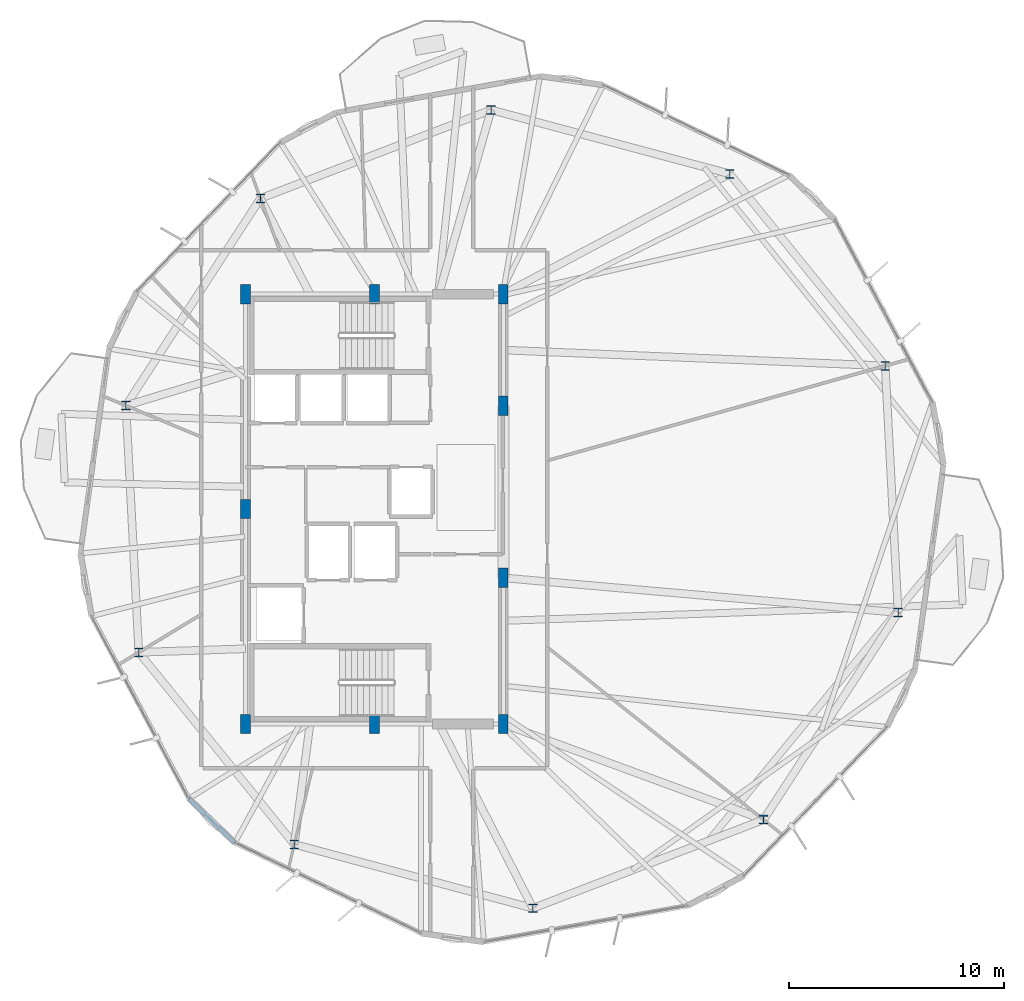
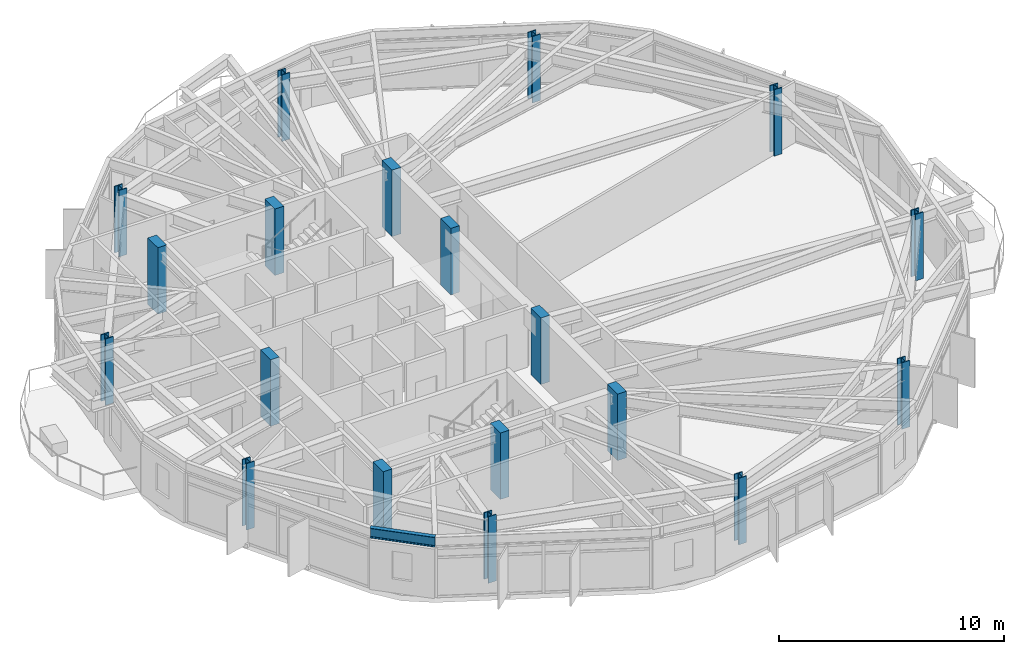
# One storey, part 1 of 28: 19 columns, 1 beam.
"""IFC4 building model written with IfcOpenShell, lengths in metres."""

from ifc_helpers import new_model, si_unit, direction, frame, origin, origin_2d, place, context, subcontext, project, spatial, rectangle, i_section, extrude, material, material_profile, profile_set, type_object, element, save


model = new_model("IFC4")

# Units and contexts
model_context = context("Model", 3, precision=1e-05, world=origin(), true_north=direction((0.0, 1.0)))
body_context = subcontext(model_context, "Body", "Model", "MODEL_VIEW")
ifc_project = project(units=[si_unit("LENGTHUNIT", "METRE"), si_unit("AREAUNIT", "SQUARE_METRE"), si_unit("VOLUMEUNIT", "CUBIC_METRE"), si_unit("PLANEANGLEUNIT", "RADIAN"), si_unit("MASSUNIT", "GRAM", prefix="KILO")], contexts=[model_context])

# Site, building, storey
site_placement = place(None, origin())
site = spatial("IfcSite", under=ifc_project, at=site_placement, CompositionType="ELEMENT")
building_placement = place(site_placement, origin())
building = spatial("IfcBuilding", under=site, at=building_placement, Name="Soratama Intermodal Tower", CompositionType="ELEMENT")
storey_placement = place(building_placement, frame((0.0, 0.0, 205.0)))
storey = spatial("IfcBuildingStorey", under=building, at=storey_placement, Name="L51", CompositionType="ELEMENT", Elevation=205.0)

# Columns
ifc_material_1 = material(Name="Structural steel ASTM A992 Grade 50", Category="steel")
ifc_material_profile_1 = material_profile(ifc_material_1, i_section(OverallWidth=0.406005859375, OverallDepth=0.416015625, WebThickness=0.02978515625, FlangeThickness=0.048095703125, FilletRadius=0.0380859375, at=origin_2d()), Name="W14X257")
ifc_profile_set_1 = profile_set([ifc_material_profile_1], Name="Structural steel ASTM A992 Grade 50")
column_type_1 = type_object("IfcColumnType", Name="COL-ZD-W14X257", PredefinedType="COLUMN", material=ifc_profile_set_1)
for number, where, z_axis, x_axis, name in (
    (1, (62.364501953125, 31.66552734375, 0.0), (0.0, 0.0, 1.0), (1.0, 0.0, 0.0), "L51 Tower Ring Column R01"),
    (2, (55.13037109375, 40.599365234375, 0.0), (0.0, 0.0, 1.0), (1.0, 0.0, 0.0), "L51 Tower Ring Column R02"),
    (3, (44.026611328125, 43.574462890625, 0.0), (0.0, 0.0, 1.0), (1.0, 0.0, 0.0), "L51 Tower Ring Column R03"),
    (4, (33.294677734375, 39.454833984375, 0.0), (0.0, 0.0, 1.0), (1.0, 0.0, 0.0), "L51 Tower Ring Column R04"),
    (5, (27.03369140625, 29.81396484375, 0.0), (0.0, 0.0, 1.0), (1.0, 0.0, 0.0), "L51 Tower Ring Column R05"),
    (6, (27.635498046875, 18.33447265625, 0.0), (0.0, 0.0, 1.0), (1.0, 0.0, 0.0), "L51 Tower Ring Column R06"),
    (7, (34.86962890625, 9.400634765625, 0.0), (0.0, 0.0, 1.0), (1.0, 0.0, 0.0), "L51 Tower Ring Column R07"),
    (8, (45.973388671875, 6.425537109375, 0.0), (0.0, 0.0, 1.0), (1.0, 0.0, 0.0), "L51 Tower Ring Column R08"),
    (9, (56.705322265625, 10.545166015625, 0.0), (0.0, 0.0, 1.0), (1.0, 0.0, 0.0), "L51 Tower Ring Column R09"),
    (10, (62.96630859375, 20.18603515625, 0.0), (0.0, 0.0, 1.0), (1.0, 0.0, 0.0), "L51 Tower Ring Column R10"),
):
    element("IfcColumn", number, at=place(storey_placement, frame(where, z_axis=z_axis, x_axis=x_axis)), inside=storey, type_object=column_type_1, Name=name, PredefinedType="COLUMN", context=body_context, shape_type="SweptSolid", body=[
        extrude(i_section(OverallWidth=0.406005859375, OverallDepth=0.416015625, WebThickness=0.02978515625, FlangeThickness=0.048095703125, FilletRadius=0.0380859375, at=origin_2d()), origin(), (0.0, 0.0, 1.0), 3.60009765625),
    ])
ifc_material_2 = material(Name="Concrete f'c 56 MPa", Category="concrete")
ifc_material_profile_2 = material_profile(ifc_material_2, rectangle(XDim=0.449951171875, YDim=0.89990234375, at=origin_2d()), Name="RC450X900")
ifc_profile_set_2 = profile_set([ifc_material_profile_2], Name="Concrete f'c 56 MPa")
column_type_2 = type_object("IfcColumnType", Name="PIL-CORE-450X900", PredefinedType="PILASTER", material=ifc_profile_set_2)
for number, where, z_axis, x_axis, name in (
    (11, (32.60009765625, 15.0, 0.0), (0.0, 0.0, 1.0), (1.0, 0.0, 0.0), "L51 Core Pilaster 1"),
    (12, (32.60009765625, 25.0, 0.0), (0.0, 0.0, 1.0), (1.0, 0.0, 0.0), "L51 Core Pilaster 2"),
    (13, (32.60009765625, 35.0, 0.0), (0.0, 0.0, 1.0), (1.0, 0.0, 0.0), "L51 Core Pilaster 3"),
    (14, (38.60009765625, 15.0, 0.0), (0.0, 0.0, 1.0), (1.0, 0.0, 0.0), "L51 Core Pilaster 4"),
    (15, (38.60009765625, 35.0, 0.0), (0.0, 0.0, 1.0), (1.0, 0.0, 0.0), "L51 Core Pilaster 5"),
    (16, (44.60009765625, 15.0, 0.0), (0.0, 0.0, 1.0), (1.0, 0.0, 0.0), "L51 Core Pilaster 6"),
    (17, (44.60009765625, 21.800048828125, 0.0), (0.0, 0.0, 1.0), (1.0, 0.0, 0.0), "L51 Core Pilaster 7"),
    (18, (44.60009765625, 29.800048828125, 0.0), (0.0, 0.0, 1.0), (1.0, 0.0, 0.0), "L51 Core Pilaster 8"),
    (19, (44.60009765625, 35.0, 0.0), (0.0, 0.0, 1.0), (1.0, 0.0, 0.0), "L51 Core Pilaster 9"),
):
    element("IfcColumn", number, at=place(storey_placement, frame(where, z_axis=z_axis, x_axis=x_axis)), inside=storey, type_object=column_type_2, Name=name, PredefinedType="PILASTER", context=body_context, shape_type="SweptSolid", body=[
        extrude(rectangle(XDim=0.449951171875, YDim=0.89990234375, at=origin_2d()), origin(), (0.0, 0.0, 1.0), 3.60009765625),
    ])

# Beam
ifc_material_3 = material(Name="Structural steel ASTM A992 Grade 50", Category="steel")
ifc_material_profile_3 = material_profile(ifc_material_3, i_section(OverallWidth=0.2099609375, OverallDepth=0.537109375, WebThickness=0.010986328125, FlangeThickness=0.017333984375, FilletRadius=0.012939453125, at=origin_2d()), Name="W21X68")
ifc_profile_set_3 = profile_set([ifc_material_profile_3], Name="Structural steel ASTM A992 Grade 50")
beam_type = type_object("IfcBeamType", Name="BM-SPN-W21X68", PredefinedType="SPANDREL", material=ifc_profile_set_3)
beam_placement = place(storey_placement, frame((29.962890625, 11.52392578125, 3.031494140625), z_axis=(0.720352190973, -0.693608478149, 0.0), x_axis=(0.693608478149, 0.720352190973, 0.0)))
element("IfcBeam", 20, at=beam_placement, inside=storey, type_object=beam_type, Name="BS-L51-CRN05", PredefinedType="SPANDREL", context=body_context, shape_type="SweptSolid", body=[
    extrude(i_section(OverallWidth=0.2099609375, OverallDepth=0.537109375, WebThickness=0.010986328125, FlangeThickness=0.017333984375, FilletRadius=0.012939453125, at=origin_2d()), origin(), (0.0, 0.0, 1.0), 2.966796875),
])

save(model, "model.ifc")
